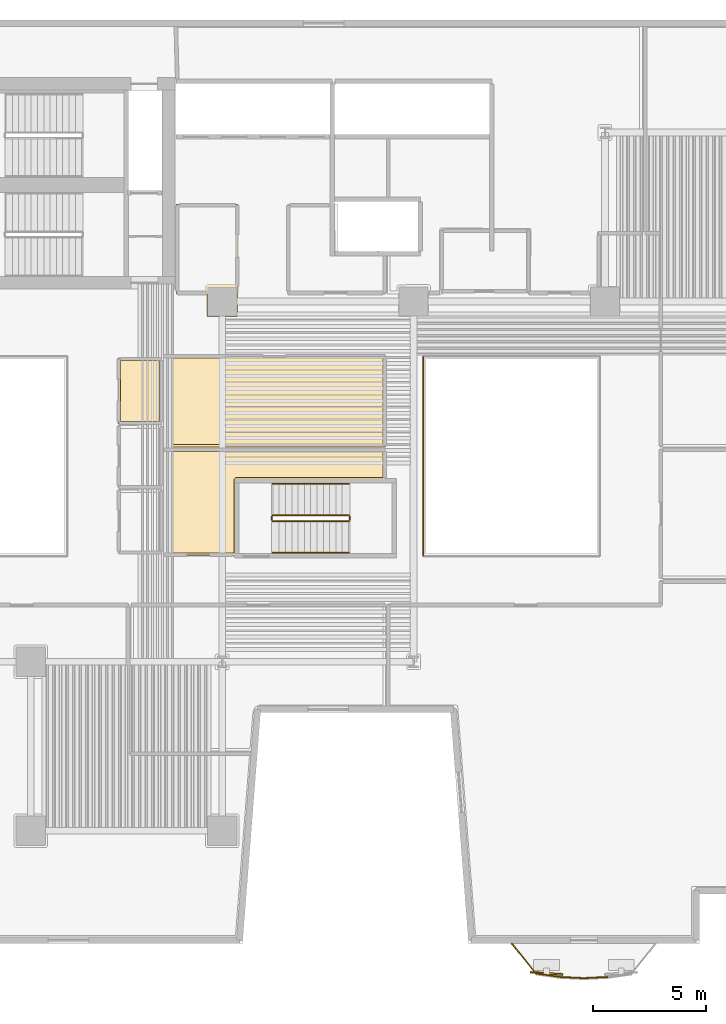
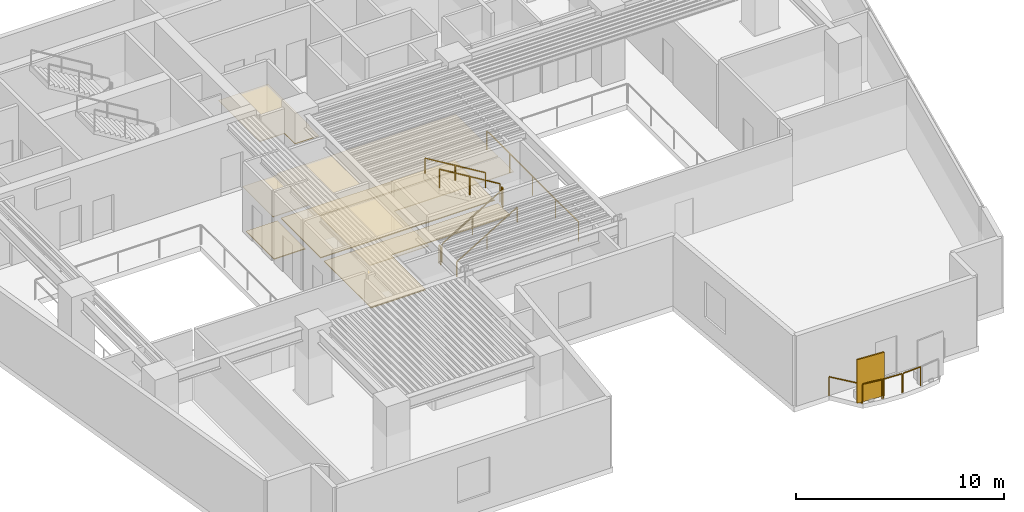
# One storey, part 8 of 11: 11 railings, 7 coverings, 1 shading device.
"""IFC4 building model written with IfcOpenShell, lengths in metres."""

from ifc_helpers import new_model, si_unit, direction, frame, origin, origin_2d, place, context, subcontext, project, spatial, polyline, rectangle, outline, extrude, material, layer, layer_set, type_object, element, save


model = new_model("IFC4")

# Units and contexts
model_context = context("Model", 3, precision=1e-05, world=origin(), true_north=direction((0.0, 1.0)))
body_context = subcontext(model_context, "Body", "Model", "MODEL_VIEW")
ifc_project = project(units=[si_unit("LENGTHUNIT", "METRE"), si_unit("AREAUNIT", "SQUARE_METRE"), si_unit("VOLUMEUNIT", "CUBIC_METRE"), si_unit("PLANEANGLEUNIT", "RADIAN"), si_unit("MASSUNIT", "GRAM", prefix="KILO")], contexts=[model_context])

# Site, building, storey
site_placement = place(None, origin())
site = spatial("IfcSite", under=ifc_project, at=site_placement, CompositionType="ELEMENT")
building_placement = place(site_placement, origin())
building = spatial("IfcBuilding", under=site, at=building_placement, Name="Caeloran Harvest Quay", CompositionType="ELEMENT")
storey_placement = place(building_placement, frame((0.0, 0.0, 75.39990234375)))
storey = spatial("IfcBuildingStorey", under=building, at=storey_placement, Name="L17", CompositionType="ELEMENT", Elevation=75.39990234375)

# Coverings
ifc_material_1 = material(Name="Perforated Mineral-Fibre Acoustic Ceiling Tile", Category="ceiling")
ifc_layer_1 = layer(ifc_material_1, 0.0400390625, Name="Perforated Mineral-Fibre Acoustic Ceiling Tile")
ifc_layer_set_1 = layer_set([ifc_layer_1], Name="Perforated Mineral-Fibre Acoustic Ceiling Tile")
covering_type_1 = type_object("IfcCoveringType", Name="COV-CEILING-ACOUSTIC", PredefinedType="CEILING", material=ifc_layer_set_1)
covering_1_placement = place(storey_placement, frame((0.0, 0.0, 2.60009765625)))
element("IfcCovering", 1, at=covering_1_placement, inside=storey, type_object=covering_type_1, Name="L17 Male Washroom WC Acoustic Ceiling", PredefinedType="CEILING", context=body_context, shape_type="SweptSolid", body=[
    extrude(outline(polyline([(22.840087890625, 25.56005859375), (20.8701171875, 25.56005859375), (20.8701171875, 28.489990234375), (22.840087890625, 28.489990234375), (22.840087890625, 25.56005859375)])), origin(), (0.0, 0.0, 1.0), 0.0400390625),
])
covering_2_placement = place(storey_placement, frame((0.0, 0.0, 2.60009765625)))
element("IfcCovering", 2, at=covering_2_placement, inside=storey, type_object=covering_type_1, Name="Compliance Office Acoustic Ceiling", PredefinedType="CEILING", context=body_context, shape_type="SweptSolid", body=[
    extrude(outline(polyline([(26.139892578125, 23.06005859375), (26.139892578125, 19.7099609375), (22.8701171875, 19.7099609375), (22.8701171875, 24.4599609375), (32.760009765625, 24.4599609375), (32.760009765625, 23.06005859375), (26.139892578125, 23.06005859375)])), origin(), (0.0, 0.0, 1.0), 0.0400390625),
])
covering_3_placement = place(storey_placement, frame((0.0, 0.0, 2.60009765625)))
element("IfcCovering", 3, at=covering_3_placement, inside=storey, type_object=covering_type_1, Name="Harvest Briefing Conference Room Acoustic Ceiling", PredefinedType="CEILING", context=body_context, shape_type="SweptSolid", body=[
    extrude(outline(polyline([(22.8701171875, 28.512939453125), (22.85009765625, 28.52001953125), (22.85009765625, 28.610107421875), (32.760009765625, 28.610107421875), (32.760009765625, 24.5400390625), (22.8701171875, 24.5400390625), (22.8701171875, 28.512939453125)])), origin(), (0.0, 0.0, 1.0), 0.0400390625),
])
covering_4_placement = place(storey_placement, frame((0.0, 0.0, 2.60009765625)))
element("IfcCovering", 4, at=covering_4_placement, inside=storey, type_object=covering_type_1, Name="Dwarf Citrus Mezzanine Growing Hall 9 Acoustic Ceiling", PredefinedType="CEILING", context=body_context, shape_type="SweptSolid", body=[
    extrude(outline(polyline([(26.169921875, 30.330078125), (24.830078125, 30.330078125), (24.830078125, 31.340087890625), (23.469970703125, 31.340087890625), (23.469970703125, 35.32861328125), (23.521728515625, 35.31005859375), (26.2099609375, 35.31005859375), (26.2099609375, 31.340087890625), (26.169921875, 31.340087890625), (26.169921875, 30.330078125)])), origin(), (0.0, 0.0, 1.0), 0.0400390625),
])
ifc_material_2 = material(Name="Calcium-Sulphate Raised Access Floor and Terrazzo Finish", Category="flooring")
ifc_layer_2 = layer(ifc_material_2, 0.050048828125, Name="Calcium-Sulphate Raised Access Floor and Terrazzo Finish")
ifc_layer_set_2 = layer_set([ifc_layer_2], Name="Calcium-Sulphate Raised Access Floor and Terrazzo Finish")
covering_type_2 = type_object("IfcCoveringType", Name="COV-FLOOR-RAISED", PredefinedType="FLOORING", material=ifc_layer_set_2)
covering_5_placement = place(storey_placement, origin())
element("IfcCovering", 5, at=covering_5_placement, inside=storey, type_object=covering_type_2, Name="L17 Male Washroom WC Raised Finish Flooring", PredefinedType="FLOORING", context=body_context, shape_type="SweptSolid", body=[
    extrude(outline(polyline([(22.719970703125, 25.679931640625), (20.989990234375, 25.679931640625), (20.989990234375, 28.3701171875), (22.719970703125, 28.3701171875), (22.719970703125, 25.679931640625)])), origin(), (0.0, 0.0, 1.0), 0.050048828125),
])
covering_6_placement = place(storey_placement, origin())
element("IfcCovering", 6, at=covering_6_placement, inside=storey, type_object=covering_type_2, Name="Compliance Office Raised Finish Flooring", PredefinedType="FLOORING", context=body_context, shape_type="SweptSolid", body=[
    extrude(outline(polyline([(26.101806640625, 23.17626953125), (26.04248046875, 23.13671875), (26.02001953125, 23.070068359375), (26.02001953125, 19.830078125), (22.989990234375, 19.830078125), (22.989990234375, 24.340087890625), (32.639892578125, 24.340087890625), (32.639892578125, 23.179931640625), (26.101806640625, 23.17626953125)])), origin(), (0.0, 0.0, 1.0), 0.050048828125),
])
covering_7_placement = place(storey_placement, origin())
element("IfcCovering", 7, at=covering_7_placement, inside=storey, type_object=covering_type_2, Name="Harvest Briefing Conference Room Raised Finish Flooring", PredefinedType="FLOORING", context=body_context, shape_type="SweptSolid", body=[
    extrude(outline(polyline([(22.989990234375, 28.489990234375), (32.639892578125, 28.489990234375), (32.639892578125, 24.659912109375), (22.989990234375, 24.659912109375), (22.989990234375, 28.489990234375)])), origin(), (0.0, 0.0, 1.0), 0.050048828125),
])

# Railings
ifc_material_3 = material(Name="Powder-Coated Steel Post and Laminated Glass Guardrail", Category="steel")
ifc_layer_3 = layer(ifc_material_3, 0.06005859375, Name="Powder-Coated Steel Post and Laminated Glass Guardrail")
ifc_layer_set_3 = layer_set([ifc_layer_3], Name="Powder-Coated Steel Post and Laminated Glass Guardrail")
railing_type_1 = type_object("IfcRailingType", Name="GUARD-ATRIUM-1150", PredefinedType="GUARDRAIL", material=ifc_layer_set_3)
railing_1_placement = place(storey_placement, frame((34.429931640625, 28.5380859375, 0.0)))
element("IfcRailing", 8, at=railing_1_placement, inside=storey, type_object=railing_type_1, Name="L17 East Botanical Lightwell Guardrail Seg 4", PredefinedType="GUARDRAIL", context=body_context, shape_type="SweptSolid", body=[
    extrude(rectangle(XDim=0.048095703125, YDim=0.048095703125, at=origin_2d()), frame((0.0, 0.0, 1.1259765625), z_axis=(0.0, -1.0, 0.0), x_axis=(1.0, 0.0, 0.0)), (0.0, 0.0, 1.0), 8.826171875),
    extrude(rectangle(XDim=0.0419921875, YDim=0.0419921875, at=origin_2d()), origin(), (0.0, 0.0, 1.0), 1.101806640625),
    extrude(rectangle(XDim=0.0419921875, YDim=0.0419921875, at=origin_2d()), frame((0.0, -2.20654296875, 0.0)), (0.0, 0.0, 1.0), 1.101806640625),
    extrude(rectangle(XDim=0.0419921875, YDim=0.0419921875, at=origin_2d()), frame((0.0, -4.4130859375, 0.0)), (0.0, 0.0, 1.0), 1.101806640625),
    extrude(rectangle(XDim=0.0419921875, YDim=0.0419921875, at=origin_2d()), frame((0.0, -6.61962890625, 0.0)), (0.0, 0.0, 1.0), 1.101806640625),
    extrude(rectangle(XDim=0.0419921875, YDim=0.0419921875, at=origin_2d()), frame((0.0, -8.826171875, 0.0)), (0.0, 0.0, 1.0), 1.101806640625),
])
ifc_material_4 = material(Name="Laminated Safety Glass and Stainless Steel 316", Category="steel")
ifc_layer_4 = layer(ifc_material_4, 0.06005859375, Name="Laminated Safety Glass and Stainless Steel 316")
ifc_layer_set_4 = layer_set([ifc_layer_4], Name="Laminated Safety Glass and Stainless Steel 316")
railing_type_2 = type_object("IfcRailingType", Name="GUARD-BALUSTRADE-1150", PredefinedType="BALUSTRADE", material=ifc_layer_set_4)
railing_2_placement = place(storey_placement, frame((42.5908203125, 1.00537109375, 0.0)))
element("IfcRailing", 9, at=railing_2_placement, inside=storey, type_object=railing_type_2, Name="L17 Planted Balcony Perimeter Balustrade Guard Seg 3", PredefinedType="BALUSTRADE", context=body_context, shape_type="SweptSolid", body=[
    extrude(rectangle(XDim=0.048095703125, YDim=0.048095703125, at=origin_2d()), frame((0.0, 0.0, 1.1259765625), z_axis=(-0.998613112064, -0.052648384722, 0.0), x_axis=(0.052648384722, -0.998613112064, 0.0)), (0.0, 0.0, 1.0), 1.001708984375),
    extrude(rectangle(XDim=0.0419921875, YDim=0.0419921875, at=origin_2d()), origin(), (0.0, 0.0, 1.0), 1.101806640625),
    extrude(rectangle(XDim=0.0419921875, YDim=0.0419921875, at=origin_2d()), frame((-1.000244140625, -0.052734375, 0.0)), (0.0, 0.0, 1.0), 1.101806640625),
])
railing_3_placement = place(storey_placement, frame((41.526611328125, 0.95263671875, 0.0)))
element("IfcRailing", 10, at=railing_3_placement, inside=storey, type_object=railing_type_2, Name="L17 Planted Balcony Perimeter Balustrade Guard Seg 4", PredefinedType="BALUSTRADE", context=body_context, shape_type="SweptSolid", body=[
    extrude(rectangle(XDim=0.048095703125, YDim=0.048095703125, at=origin_2d()), frame((0.0, 0.0, 1.1259765625), z_axis=(-0.998613112064, 0.052648384722, 0.0), x_axis=(-0.052648384722, -0.998613112064, 0.0)), (0.0, 0.0, 1.0), 1.001708984375),
    extrude(rectangle(XDim=0.0419921875, YDim=0.0419921875, at=origin_2d()), origin(), (0.0, 0.0, 1.0), 1.101806640625),
    extrude(rectangle(XDim=0.0419921875, YDim=0.0419921875, at=origin_2d()), frame((-1.000244140625, 0.052734375, 0.0)), (0.0, 0.0, 1.0), 1.101806640625),
])
railing_4_placement = place(storey_placement, frame((40.462646484375, 1.01171875, 0.0)))
element("IfcRailing", 11, at=railing_4_placement, inside=storey, type_object=railing_type_2, Name="L17 Planted Balcony Perimeter Balustrade Guard Seg 5", PredefinedType="BALUSTRADE", context=body_context, shape_type="SweptSolid", body=[
    extrude(rectangle(XDim=0.048095703125, YDim=0.048095703125, at=origin_2d()), frame((0.0, 0.0, 1.1259765625), z_axis=(-0.989765146773, 0.142705831116, 0.0), x_axis=(-0.142705831116, -0.989765146773, 0.0)), (0.0, 0.0, 1.0), 1.010986328125),
    extrude(rectangle(XDim=0.0419921875, YDim=0.0419921875, at=origin_2d()), origin(), (0.0, 0.0, 1.0), 1.101806640625),
    extrude(rectangle(XDim=0.0419921875, YDim=0.0419921875, at=origin_2d()), frame((-1.000732421875, 0.144287109375, 0.0)), (0.0, 0.0, 1.0), 1.101806640625),
])
railing_5_placement = place(storey_placement, frame((39.41015625, 1.185302734375, 0.0)))
element("IfcRailing", 12, at=railing_5_placement, inside=storey, type_object=railing_type_2, Name="L17 Planted Balcony Perimeter Balustrade Guard Seg 6", PredefinedType="BALUSTRADE", context=body_context, shape_type="SweptSolid", body=[
    extrude(rectangle(XDim=0.048095703125, YDim=0.048095703125, at=origin_2d()), frame((0.0, 0.0, 1.1259765625), z_axis=(-0.627786878651, 0.778385274137, 0.0), x_axis=(-0.778385274137, -0.627786878651, 0.0)), (0.0, 0.0, 1.0), 1.663330078125),
    extrude(rectangle(XDim=0.0419921875, YDim=0.0419921875, at=origin_2d()), origin(), (0.0, 0.0, 1.0), 1.101806640625),
    extrude(rectangle(XDim=0.0419921875, YDim=0.0419921875, at=origin_2d()), frame((-1.044189453125, 1.294677734375, 0.0)), (0.0, 0.0, 1.0), 1.101806640625),
])

# Shading device
ifc_material_5 = material(Name="3003-H14 Perforated Powder-Coated Aluminium", Category="aluminium")
shading_device_type = type_object("IfcShadingDeviceType", Name="SHADE-SCREEN-FOLDED", PredefinedType="USERDEFINED", material=ifc_material_5)
shading_device_placement = place(storey_placement, frame((39.8984375, 1.164794921875, 0.0751953125), z_axis=(0.0, 0.0, 1.0), x_axis=(0.997801468292, -0.0662739004, 0.0)))
element("IfcShadingDevice", 13, at=shading_device_placement, inside=storey, type_object=shading_device_type, Name="L17 Folded Facade Breathing Screen 2", ObjectType="SCREEN", PredefinedType="USERDEFINED", context=body_context, shape_type="SweptSolid", body=[
    extrude(rectangle(XDim=1.449951171875, YDim=0.080078125, at=origin_2d()), origin(), (0.0, 0.0, 1.0), 2.550048828125),
])

# Railings
ifc_material_6 = material(Name="Painted Steel Baluster and Top-Rail Stair Guard", Category="steel")
ifc_layer_5 = layer(ifc_material_6, 0.050048828125, Name="Painted Steel Baluster and Top-Rail Stair Guard")
ifc_layer_set_5 = layer_set([ifc_layer_5], Name="Painted Steel Baluster and Top-Rail Stair Guard")
railing_type_3 = type_object("IfcRailingType", Name="STAIR-GUARD-1100", PredefinedType="GUARDRAIL", material=ifc_layer_set_5)
railing_6_placement = place(storey_placement, frame((27.75, 21.25, 0.16943359375)))
element("IfcRailing", 14, at=railing_6_placement, inside=storey, type_object=railing_type_3, Name="L17 ST-W1 stair guard 1", PredefinedType="GUARDRAIL", context=body_context, shape_type="SweptSolid", body=[
    extrude(rectangle(XDim=0.048095703125, YDim=0.048095703125, at=origin_2d()), frame((0.0, 0.0, 1.076171875), z_axis=(0.855836976705, 0.0, 0.517245656632), x_axis=(0.0, 1.0, 0.0)), (0.0, 0.0, 1.0), 3.926025390625),
    extrude(rectangle(XDim=0.0419921875, YDim=0.0419921875, at=origin_2d()), origin(), (0.0, 0.0, 1.0), 1.052001953125),
    extrude(rectangle(XDim=0.0419921875, YDim=0.0419921875, at=origin_2d()), frame((1.68017578125, 0.0, 1.015380859375)), (0.0, 0.0, 1.0), 1.052001953125),
    extrude(rectangle(XDim=0.0419921875, YDim=0.0419921875, at=origin_2d()), frame((3.360107421875, 0.0, 2.03076171875)), (0.0, 0.0, 1.0), 1.052001953125),
])
railing_7_placement = place(storey_placement, frame((31.159912109375, 21.300048828125, 2.2001953125)))
element("IfcRailing", 15, at=railing_7_placement, inside=storey, type_object=railing_type_3, Name="L17 ST-W1 stair guard 2", PredefinedType="GUARDRAIL", context=body_context, shape_type="SweptSolid", body=[
    extrude(rectangle(XDim=0.048095703125, YDim=0.048095703125, at=origin_2d()), frame((0.0, 0.0, 1.076171875), z_axis=(0.0, 1.0, 0.0), x_axis=(-1.0, 0.0, 0.0)), (0.0, 0.0, 1.0), 0.14990234375),
    extrude(rectangle(XDim=0.0419921875, YDim=0.0419921875, at=origin_2d()), origin(), (0.0, 0.0, 1.0), 1.052001953125),
    extrude(rectangle(XDim=0.0419921875, YDim=0.0419921875, at=origin_2d()), frame((0.0, 0.14990234375, 0.0)), (0.0, 0.0, 1.0), 1.052001953125),
])
railing_8_placement = place(storey_placement, frame((31.110107421875, 21.5, 2.369384765625)))
element("IfcRailing", 16, at=railing_8_placement, inside=storey, type_object=railing_type_3, Name="L17 ST-W1 stair guard 3", PredefinedType="GUARDRAIL", context=body_context, shape_type="SweptSolid", body=[
    extrude(rectangle(XDim=0.048095703125, YDim=0.048095703125, at=origin_2d()), frame((0.0, 0.0, 1.076171875), z_axis=(-0.855836976705, 0.0, 0.517245656632), x_axis=(0.0, -1.0, 0.0)), (0.0, 0.0, 1.0), 3.926025390625),
    extrude(rectangle(XDim=0.0419921875, YDim=0.0419921875, at=origin_2d()), origin(), (0.0, 0.0, 1.0), 1.052001953125),
    extrude(rectangle(XDim=0.0419921875, YDim=0.0419921875, at=origin_2d()), frame((-1.68017578125, 0.0, 1.015380859375)), (0.0, 0.0, 1.0), 1.052001953125),
    extrude(rectangle(XDim=0.0419921875, YDim=0.0419921875, at=origin_2d()), frame((-3.360107421875, 0.0, 2.03076171875)), (0.0, 0.0, 1.0), 1.052001953125),
])
railing_9_placement = place(storey_placement, frame((27.699951171875, 21.300048828125, 0.0)))
element("IfcRailing", 17, at=railing_9_placement, inside=storey, type_object=railing_type_3, Name="L17 ST-W1 stair guard 4", PredefinedType="GUARDRAIL", context=body_context, shape_type="SweptSolid", body=[
    extrude(rectangle(XDim=0.048095703125, YDim=0.048095703125, at=origin_2d()), frame((0.0, 0.0, 1.076171875), z_axis=(0.0, 1.0, 0.0), x_axis=(-1.0, 0.0, 0.0)), (0.0, 0.0, 1.0), 0.14990234375),
    extrude(rectangle(XDim=0.0419921875, YDim=0.0419921875, at=origin_2d()), origin(), (0.0, 0.0, 1.0), 1.052001953125),
    extrude(rectangle(XDim=0.0419921875, YDim=0.0419921875, at=origin_2d()), frame((0.0, 0.14990234375, 0.0)), (0.0, 0.0, 1.0), 1.052001953125),
])
ifc_material_7 = material(Name="Brushed Stainless Steel Grade 304", Category="steel")
ifc_layer_6 = layer(ifc_material_7, 0.050048828125, Name="Brushed Stainless Steel Grade 304")
ifc_layer_set_6 = layer_set([ifc_layer_6], Name="Brushed Stainless Steel Grade 304")
railing_type_4 = type_object("IfcRailingType", Name="STAIR-HANDRAIL-900", PredefinedType="HANDRAIL", material=ifc_layer_set_6)
railing_10_placement = place(storey_placement, frame((27.75, 19.85009765625, 0.16943359375)))
element("IfcRailing", 18, at=railing_10_placement, inside=storey, type_object=railing_type_4, Name="L17 ST-W1 stair handrail 1", PredefinedType="HANDRAIL", context=body_context, shape_type="SweptSolid", body=[
    extrude(rectangle(XDim=0.048095703125, YDim=0.048095703125, at=origin_2d()), frame((0.0, 0.0, 0.8759765625), z_axis=(0.855836976705, 0.0, 0.517245656632), x_axis=(0.0, 1.0, 0.0)), (0.0, 0.0, 1.0), 3.926025390625),
    extrude(rectangle(XDim=0.0419921875, YDim=0.0419921875, at=origin_2d()), origin(), (0.0, 0.0, 1.0), 0.851806640625),
    extrude(rectangle(XDim=0.0419921875, YDim=0.0419921875, at=origin_2d()), frame((1.68017578125, 0.0, 1.015380859375)), (0.0, 0.0, 1.0), 0.851806640625),
    extrude(rectangle(XDim=0.0419921875, YDim=0.0419921875, at=origin_2d()), frame((3.360107421875, 0.0, 2.03076171875)), (0.0, 0.0, 1.0), 0.851806640625),
])
railing_11_placement = place(storey_placement, frame((31.110107421875, 22.89990234375, 2.369384765625)))
element("IfcRailing", 19, at=railing_11_placement, inside=storey, type_object=railing_type_4, Name="L17 ST-W1 stair handrail 2", PredefinedType="HANDRAIL", context=body_context, shape_type="SweptSolid", body=[
    extrude(rectangle(XDim=0.048095703125, YDim=0.048095703125, at=origin_2d()), frame((0.0, 0.0, 0.8759765625), z_axis=(-0.855836976705, 0.0, 0.517245656632), x_axis=(0.0, -1.0, 0.0)), (0.0, 0.0, 1.0), 3.926025390625),
    extrude(rectangle(XDim=0.0419921875, YDim=0.0419921875, at=origin_2d()), origin(), (0.0, 0.0, 1.0), 0.851806640625),
    extrude(rectangle(XDim=0.0419921875, YDim=0.0419921875, at=origin_2d()), frame((-1.68017578125, 0.0, 1.015380859375)), (0.0, 0.0, 1.0), 0.851806640625),
    extrude(rectangle(XDim=0.0419921875, YDim=0.0419921875, at=origin_2d()), frame((-3.360107421875, 0.0, 2.03076171875)), (0.0, 0.0, 1.0), 0.851806640625),
])

save(model, "model.ifc")
